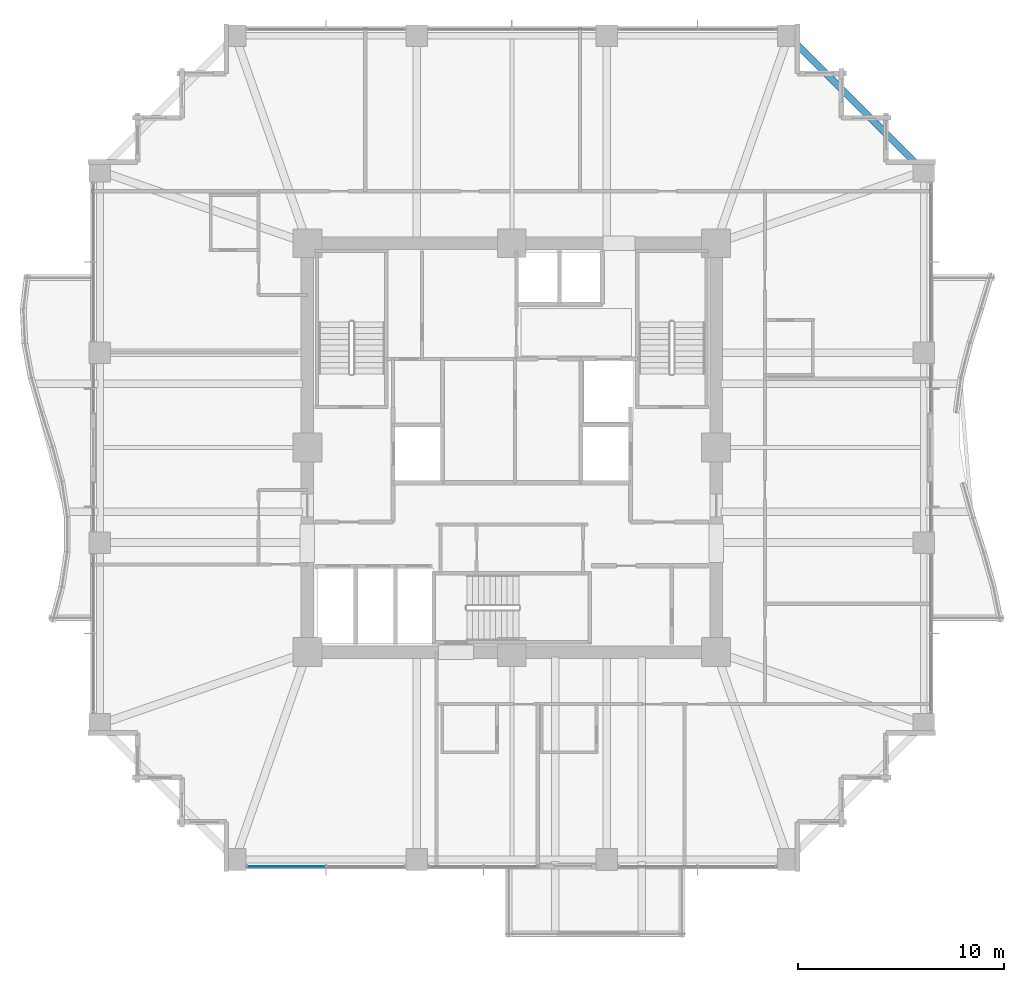
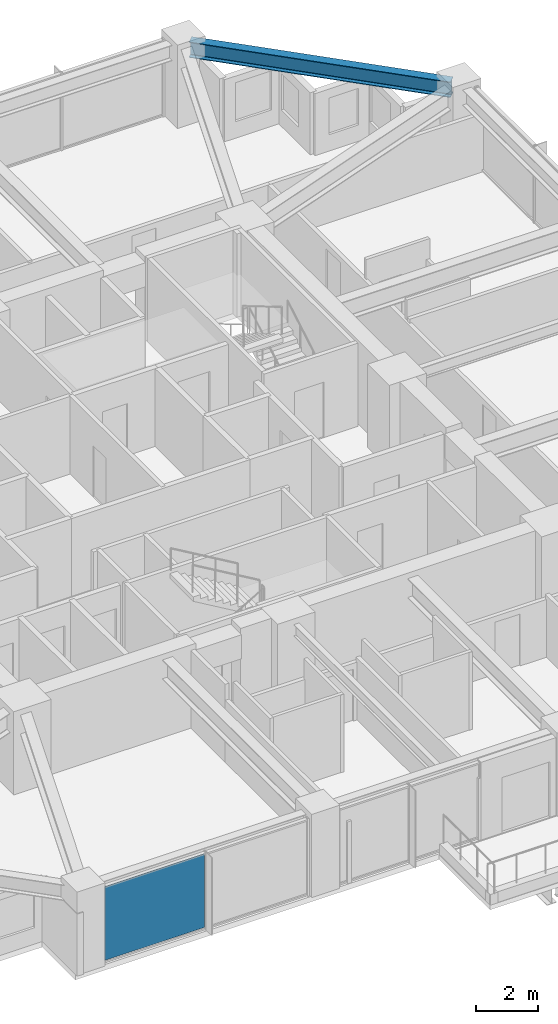
# One storey, part 24 of 38: 1 beam, 1 plate, 1 element without a shape of its own.
"""IFC4 building model written with IfcOpenShell, lengths in metres."""

import ifcopenshell
import ifcopenshell.guid

model = None  # the IFC model being written
_history = None  # IfcOwnerHistory: only IFC2X3 demands one
_inside = {}  # id of a spatial element -> (the spatial element, [elements in it])
_under = {}  # id of a project, library or spatial element -> (it, [spatial elements below it])
_declared = {}  # id of a project -> (the project, [libraries it declares])
_typed = {}  # id of a type object -> (the type object, [elements of that type])
_made_of = {}  # id of a material, layer set ... -> (it, [elements and type objects made of it])


def new_model(schema):
    """Start an empty IFC model of exactly this schema.

    Asked for "IFC4X3", IfcOpenShell would pick the latest addendum, in which some entities
    have other attributes; the version numbers below select the first issue.
    IFC2X3 requires an IfcOwnerHistory on every rooted entity: one is made here for all.
    """
    global model, _history
    if schema == "IFC4X3":
        model = ifcopenshell.file(schema_version=(4, 3, 0, 0))
    else:
        model = ifcopenshell.file(schema=schema)
    _inside.clear()
    _under.clear()
    _declared.clear()
    _typed.clear()
    _made_of.clear()
    _history = None
    if model.schema == "IFC2X3":
        org = make("IfcOrganization", Name="unknown")
        user = make(
            "IfcPersonAndOrganization",
            ThePerson=make("IfcPerson", FamilyName="unknown"),
            TheOrganization=org,
        )
        app = make(
            "IfcApplication",
            ApplicationDeveloper=org,
            Version="unknown",
            ApplicationFullName="unknown",
            ApplicationIdentifier="unknown",
        )
        _history = make(
            "IfcOwnerHistory",
            OwningUser=user,
            OwningApplication=app,
            ChangeAction="ADDED",
            CreationDate=0,
        )
    return model


def make(cls, **values):
    """One entity of the class cls with the attributes given. An attribute that is None is left unset."""
    return model.create_entity(
        cls, **{name: value for name, value in values.items() if value is not None}
    )


def rooted(cls, **values):
    """An entity with a GlobalId (a new one), such as an element, a storey or a relation."""
    return make(cls, GlobalId=ifcopenshell.guid.new(), OwnerHistory=_history, **values)


def si_unit(unit_type, name, prefix=None):
    """IfcSIUnit, for example si_unit("LENGTHUNIT", "METRE", prefix="MILLI")."""
    return make("IfcSIUnit", UnitType=unit_type, Prefix=prefix, Name=name)


def assignment(units):
    """IfcUnitAssignment: the units of a project."""
    return None if units is None else make("IfcUnitAssignment", Units=units)


def point(xyz):
    """IfcCartesianPoint."""
    return None if xyz is None else make("IfcCartesianPoint", Coordinates=xyz)


def direction(xyz):
    """IfcDirection."""
    return None if xyz is None else make("IfcDirection", DirectionRatios=xyz)


def frame(location, z_axis=None, x_axis=None):
    """IfcAxis2Placement3D, a coordinate frame: its origin and axes. An axis left out is left unset."""
    return make(
        "IfcAxis2Placement3D",
        Location=point(location),
        Axis=direction(z_axis),
        RefDirection=direction(x_axis),
    )


def frame_2d(location, x_axis=None):
    """IfcAxis2Placement2D, a coordinate frame in the plane: its origin and x axis."""
    return make(
        "IfcAxis2Placement2D", Location=point(location), RefDirection=direction(x_axis)
    )


def origin():
    """The frame at (0, 0, 0) with its axes left unset."""
    return frame((0.0, 0.0, 0.0))


def origin_2d():
    """The frame at (0, 0) in the plane with its x axis left unset."""
    return frame_2d((0.0, 0.0))


def place(relative_to, where):
    """IfcLocalPlacement: puts the frame where relative to a parent placement (None: the world)."""
    return make(
        "IfcLocalPlacement", PlacementRelTo=relative_to, RelativePlacement=where
    )


def context(
    kind, dimensions, precision=None, world=None, true_north=None, identifier=None
):
    """IfcGeometricRepresentationContext, for example the 3D "Model" context."""
    return make(
        "IfcGeometricRepresentationContext",
        ContextIdentifier=identifier,
        ContextType=kind,
        CoordinateSpaceDimension=dimensions,
        Precision=precision,
        WorldCoordinateSystem=world,
        TrueNorth=true_north,
    )


def subcontext(parent, identifier, kind, view, scale=None):
    """IfcGeometricRepresentationSubContext, for example "Body" below "Model"."""
    return make(
        "IfcGeometricRepresentationSubContext",
        ContextIdentifier=identifier,
        ContextType=kind,
        ParentContext=parent,
        TargetScale=scale,
        TargetView=view,
    )


def project(units=None, contexts=None):
    """IfcProject with its units and contexts."""
    return rooted(
        "IfcProject",
        Name="project",
        RepresentationContexts=contexts,
        UnitsInContext=assignment(units),
    )


def spatial(cls, under=None, at=None, **own):
    """A site, building, storey or space (cls), placed at a placement, below another one or the project."""
    s = rooted(cls, ObjectPlacement=at, **own)
    if under is not None:
        _under.setdefault(under.id(), (under, []))[1].append(s)
    return s


def profile(cls, at=None, kind="AREA", **sizes):
    """A parametric profile (cls). Its sizes go by their IFC names, for example OverallWidth=200.0."""
    return make(cls, ProfileType=kind, Position=at, **sizes)


def rectangle(**sizes):
    """IfcRectangleProfileDef."""
    return profile("IfcRectangleProfileDef", **sizes)


def i_section(**sizes):
    """IfcIShapeProfileDef."""
    return profile("IfcIShapeProfileDef", **sizes)


def extrude(swept, where, along, depth):
    """IfcExtrudedAreaSolid: the profile swept, set in the frame where, extruded along a direction by depth."""
    return make(
        "IfcExtrudedAreaSolid",
        SweptArea=swept,
        Position=where,
        ExtrudedDirection=direction(along),
        Depth=depth,
    )


def shape(context_of_items, identifier, shape_type, items):
    """IfcShapeRepresentation: the items that make up one representation, for example the "Body"."""
    return make(
        "IfcShapeRepresentation",
        ContextOfItems=context_of_items,
        RepresentationIdentifier=identifier,
        RepresentationType=shape_type,
        Items=items,
    )


def material(Name=None, Category=None):
    """IfcMaterial."""
    return make("IfcMaterial", Name=Name, Category=Category)


def layer(
    of_material, thickness, ventilated=None, Name=None, Category=None, Priority=None
):
    """IfcMaterialLayer: one layer of a wall or slab, of a material (None: an air gap)."""
    return make(
        "IfcMaterialLayer",
        Material=of_material,
        LayerThickness=thickness,
        IsVentilated=ventilated,
        Name=Name,
        Category=Category,
        Priority=Priority,
    )


def layer_set(layers, Name=None):
    """IfcMaterialLayerSet."""
    return make("IfcMaterialLayerSet", MaterialLayers=layers, LayerSetName=Name)


def material_profile(
    of_material, cross_section, Name=None, Category=None, Priority=None
):
    """IfcMaterialProfile: a cross section and its material."""
    return make(
        "IfcMaterialProfile",
        Name=Name,
        Material=of_material,
        Profile=cross_section,
        Priority=Priority,
        Category=Category,
    )


def profile_set(profiles, Name=None, composite=None):
    """IfcMaterialProfileSet."""
    return make(
        "IfcMaterialProfileSet",
        Name=Name,
        MaterialProfiles=profiles,
        CompositeProfile=composite,
    )


def made_of(thing, what):
    """Note that an element or type object is made of a material, layer set ...; save() writes the relation."""
    if what is not None:
        _made_of.setdefault(what.id(), (what, []))[1].append(thing)
    return thing


def type_object(cls, material=None, **own):
    """A type object (cls), such as IfcWallType, which elements share."""
    return made_of(rooted(cls, **own), material)


def element(
    cls,
    number,
    at=None,
    inside=None,
    cuts=None,
    type_object=None,
    material=None,
    context=None,
    identifier="Body",
    shape_type=None,
    held_by="IfcProductDefinitionShape",
    body=None,
    shapes=None,
    **own,
):
    """One element of the class cls, such as IfcWall. Its Tag is "e" and its number.

    at: its placement. inside: the storey or other place that contains it. cuts: it is an
    opening in that element (IfcRelVoidsElement). A single representation is given by context,
    identifier, shape_type and body (its items); several are given by shapes. held_by: the class
    of the entity that holds the representations. save() writes the other relations.
    """
    e = rooted(cls, Tag="e%d" % number, ObjectPlacement=at, **own)
    if body is not None:
        shapes = [shape(context, identifier, shape_type, body)]
    if shapes is not None:
        e.Representation = make(held_by, Representations=shapes)
    if inside is not None:
        _inside.setdefault(inside.id(), (inside, []))[1].append(e)
    if cuts is not None:
        rooted(
            "IfcRelVoidsElement", RelatingBuildingElement=cuts, RelatedOpeningElement=e
        )
    if type_object is not None:
        _typed.setdefault(type_object.id(), (type_object, []))[1].append(e)
    return made_of(e, material)


def aggregate(whole, parts):
    """IfcRelAggregates: a whole, such as a stair, and the parts it consists of."""
    return rooted("IfcRelAggregates", RelatingObject=whole, RelatedObjects=parts)


def save(model, path):
    """Write the relations noted so far, then the file.

    IfcRelAggregates (storeys below a building ...), IfcRelContainedInSpatialStructure (elements
    in a storey), IfcRelDefinesByType, IfcRelAssociatesMaterial and IfcRelDeclares: one each for
    every whole, place, type object, material and project.
    """
    for whole, parts in _under.values():
        aggregate(whole, parts)
    for where, things in _inside.values():
        rooted(
            "IfcRelContainedInSpatialStructure",
            RelatedElements=things,
            RelatingStructure=where,
        )
    for kind, things in _typed.values():
        rooted("IfcRelDefinesByType", RelatedObjects=things, RelatingType=kind)
    for what, things in _made_of.values():
        rooted("IfcRelAssociatesMaterial", RelatedObjects=things, RelatingMaterial=what)
    for by, libraries in _declared.values():
        rooted("IfcRelDeclares", RelatingContext=by, RelatedDefinitions=libraries)
    model.write(path)


model = new_model("IFC4")

# Units and contexts
model_context = context("Model", 3, precision=1e-05, world=origin(), true_north=direction((0.0, 1.0)))
body_context = subcontext(model_context, "Body", "Model", "MODEL_VIEW")
ifc_project = project(units=[si_unit("LENGTHUNIT", "METRE"), si_unit("AREAUNIT", "SQUARE_METRE"), si_unit("VOLUMEUNIT", "CUBIC_METRE"), si_unit("PLANEANGLEUNIT", "RADIAN"), si_unit("MASSUNIT", "GRAM", prefix="KILO")], contexts=[model_context])

# Site, building, storey
site_placement = place(None, origin())
site = spatial("IfcSite", under=ifc_project, at=site_placement, CompositionType="ELEMENT")
building_placement = place(site_placement, origin())
building = spatial("IfcBuilding", under=site, at=building_placement, Name="Kolvaren Belvedere", CompositionType="ELEMENT")
storey_placement = place(building_placement, frame((0.0, 0.0, 101.89990234375)))
storey = spatial("IfcBuildingStorey", under=building, at=storey_placement, Name="L29", CompositionType="ELEMENT", Elevation=101.89990234375)

# Beam
ifc_material_1 = material(Name="Structural steel ASTM A992 Grade 50", Category="steel")
ifc_material_profile = material_profile(ifc_material_1, i_section(OverallWidth=0.324951171875, OverallDepth=0.615966796875, WebThickness=0.013916015625, FlangeThickness=0.021484375, FilletRadius=0.02001953125, at=origin_2d()), Name="W24X117")
ifc_profile_set = profile_set([ifc_material_profile], Name="Structural steel ASTM A992 Grade 50")
beam_type = type_object("IfcBeamType", Name="BM-SPAN-W24X117", PredefinedType="SPANDREL", material=ifc_profile_set)
beam_placement = place(storey_placement, frame((19.782958984375, 13.567138671875, 2.772216796875), z_axis=(-0.707106781187, 0.707106781187, 0.0), x_axis=(-0.707106781187, -0.707106781187, 0.0)))
element("IfcBeam", 1, at=beam_placement, inside=storey, type_object=beam_type, Name="L29 Perimeter Spandrel E4-N4", PredefinedType="SPANDREL", context=body_context, shape_type="SweptSolid", body=[
    extrude(i_section(OverallWidth=0.324951171875, OverallDepth=0.615966796875, WebThickness=0.013916015625, FlangeThickness=0.021484375, FilletRadius=0.02001953125, at=origin_2d()), origin(), (0.0, 0.0, 1.0), 8.79052734375),
])

# Curtain wall, plate
ifc_material_2 = material(Name="Anodised pale-metal aluminium AA 6063-T6", Category="aluminium")
curtain_wall_type = type_object("IfcCurtainWallType", Name="CW-Z2-MID", PredefinedType="NOTDEFINED", material=ifc_material_2)
curtain_wall_placement = place(storey_placement, origin())
curtain_wall = element("IfcCurtainWall", 2, at=curtain_wall_placement, inside=storey, type_object=curtain_wall_type, Name="L29 Unitised Curtain Wall FCW-L29-S2-B2", PredefinedType="NOTDEFINED")
ifc_material_3 = material(Name="Low-iron triple insulated glass", Category="glass")
ifc_layer = layer(ifc_material_3, 0.028076171875)
ifc_layer_set = layer_set([ifc_layer], Name="Low-iron triple insulated glass")
plate_type = type_object("IfcPlateType", Name="CW-PNL-VIS28", PredefinedType="CURTAIN_PANEL", material=ifc_layer_set)
plate_placement = place(storey_placement, frame((-10.9111328125, -20.280029296875, 0.080078125), z_axis=(0.0, 0.0, 1.0), x_axis=(-1.0, 0.0, 0.0)))
plate = element("IfcPlate", 3, at=plate_placement, type_object=plate_type, Name="FCW-L29-S2-B2 Vision Glazing Panel 2", PredefinedType="CURTAIN_PANEL", context=body_context, shape_type="SweptSolid", body=[
    extrude(rectangle(XDim=3.742431640625, YDim=0.028076171875, at=origin_2d()), origin(), (0.0, 0.0, 1.0), 2.919921875),
])
aggregate(curtain_wall, [plate])

save(model, "model.ifc")
